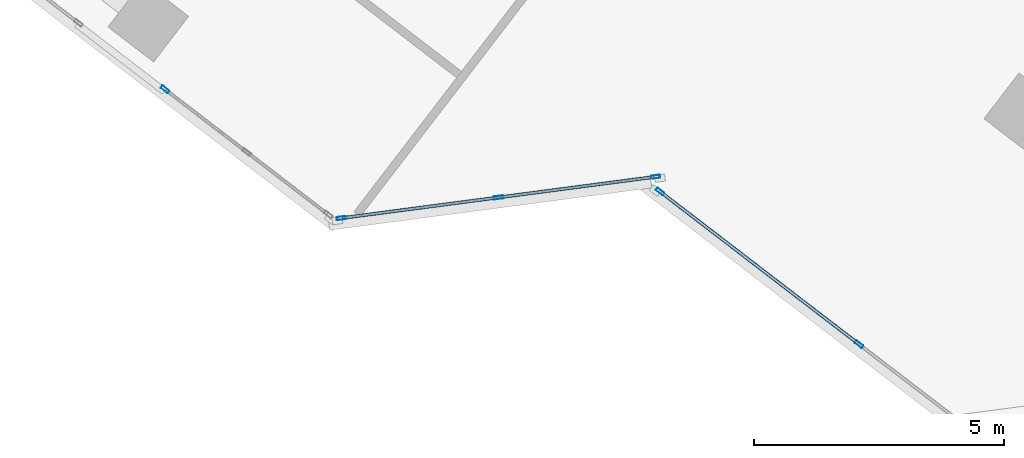
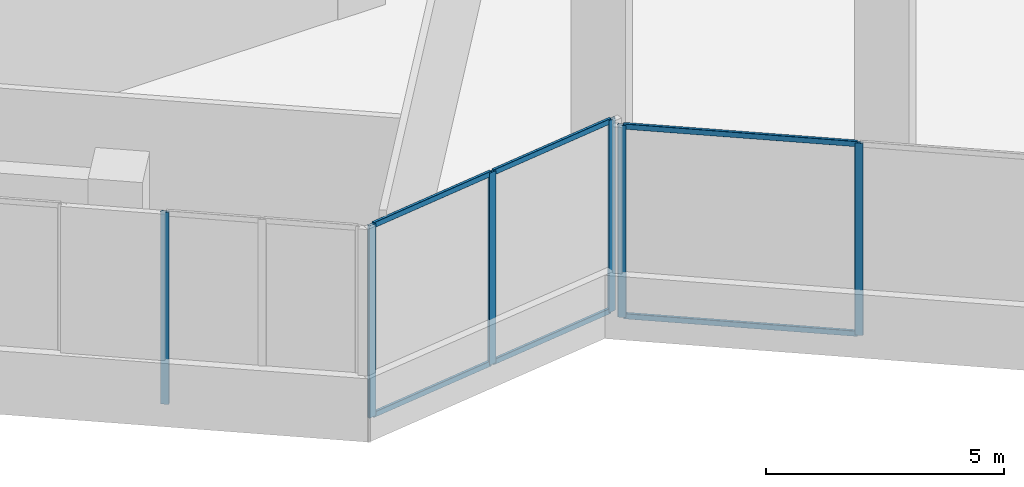
# One storey, part 3 of 23: 12 members, 3 elements without a shape of their own.
"""IFC4 building model written with IfcOpenShell, lengths in metres."""

from ifc_helpers import new_model, si_unit, direction, frame, origin, origin_2d, place, context, subcontext, project, spatial, hollow_rectangle, extrude, source, transform, mapped, material, material_profile, profile_set, type_object, element, aggregate, save


model = new_model("IFC4")

# Units and contexts
model_context = context("Model", 3, precision=1e-05, world=origin(), true_north=direction((0.0, 1.0)))
body_context = subcontext(model_context, "Body", "Model", "MODEL_VIEW")
ifc_project = project(units=[si_unit("LENGTHUNIT", "METRE"), si_unit("AREAUNIT", "SQUARE_METRE"), si_unit("VOLUMEUNIT", "CUBIC_METRE"), si_unit("PLANEANGLEUNIT", "RADIAN"), si_unit("MASSUNIT", "GRAM", prefix="KILO")], contexts=[model_context])

# Site, building, storey
site_placement = place(None, origin())
site = spatial("IfcSite", under=ifc_project, at=site_placement, CompositionType="ELEMENT")
building_placement = place(site_placement, origin())
building = spatial("IfcBuilding", under=site, at=building_placement, Name="Torre Montelarca", CompositionType="ELEMENT")
storey_placement = place(building_placement, frame((0.0, 0.0, 204.39990234375)))
storey = spatial("IfcBuildingStorey", under=building, at=storey_placement, Name="L46", CompositionType="ELEMENT", Elevation=204.39990234375)

# Curtain wall, members
ifc_material_1 = material(Name="Insulated low-E laminated glass", Category="glass")
curtain_wall_type = type_object("IfcCurtainWallType", Name="CW-SYS-Z2", PredefinedType="USERDEFINED", material=ifc_material_1)
curtain_wall_1_placement = place(storey_placement, origin())
curtain_wall_1 = element("IfcCurtainWall", 1, at=curtain_wall_1_placement, inside=storey, type_object=curtain_wall_type, Name="L46 Curtain Wall Run CW-T3-L46-E02-B1", ObjectType="UNITISED GLAZING", PredefinedType="USERDEFINED")
ifc_material_2 = material(Name="Anodised aluminium AA 6063-T6", Category="aluminium")
ifc_material_profile_1 = material_profile(ifc_material_2, hollow_rectangle(XDim=0.06494140625, YDim=0.139892578125, WallThickness=0.00390625, InnerFilletRadius=0.00390625, OuterFilletRadius=0.008056640625, at=origin_2d()), Name="ALU65X140X4", Category="aluminium")
ifc_profile_set_1 = profile_set([ifc_material_profile_1], Name="Anodised aluminium AA 6063-T6")
member_type_1 = type_object("IfcMemberType", Name="CWT-ALU140", PredefinedType="USERDEFINED", material=ifc_profile_set_1)
shared_shape_1 = source(origin(), body_context, "Body", "SweptSolid", [
    extrude(hollow_rectangle(XDim=0.06494140625, YDim=0.139892578125, WallThickness=0.00390625, InnerFilletRadius=0.00390625, OuterFilletRadius=0.008056640625, at=origin_2d()), origin(), (0.0, 0.0, 1.0), 3.102783203125),
])
member_1_placement = place(storey_placement, frame((22.42041015625, 11.498046875, 0.03271484375), z_axis=(0.991453224212, 0.130462654424, 0.0), x_axis=(-0.130462654424, 0.991453224212, 0.0)))
member_1 = element("IfcMember", 2, at=member_1_placement, type_object=member_type_1, Name="CW transom 2.1", ObjectType="TRANSOM", PredefinedType="USERDEFINED", context=body_context, shape_type="MappedRepresentation", body=[
    mapped(shared_shape_1, transform((0.0, 0.0, 0.0), scale=1.0)),
])
member_2_placement = place(storey_placement, frame((22.42041015625, 11.498046875, 4.8876953125), z_axis=(0.991453224212, 0.130462654424, 0.0), x_axis=(-0.130462654424, 0.991453224212, 0.0)))
member_2 = element("IfcMember", 3, at=member_2_placement, type_object=member_type_1, Name="CW transom 2.2", ObjectType="TRANSOM", PredefinedType="USERDEFINED", context=body_context, shape_type="MappedRepresentation", body=[
    mapped(shared_shape_1, transform((0.0, 0.0, 0.0), scale=1.0)),
])
shared_shape_2 = source(origin(), body_context, "Body", "SweptSolid", [
    extrude(hollow_rectangle(XDim=0.06494140625, YDim=0.139892578125, WallThickness=0.00390625, InnerFilletRadius=0.00390625, OuterFilletRadius=0.008056640625, at=origin_2d()), origin(), (0.0, 0.0, 1.0), 3.1025390625),
])
member_3_placement = place(storey_placement, frame((19.280029296875, 11.08447265625, 0.03271484375), z_axis=(0.991441702334, 0.130550185266, 0.0), x_axis=(-0.130550185266, 0.991441702334, 0.0)))
member_3 = element("IfcMember", 4, at=member_3_placement, type_object=member_type_1, Name="CW transom 1.1", ObjectType="TRANSOM", PredefinedType="USERDEFINED", context=body_context, shape_type="MappedRepresentation", body=[
    mapped(shared_shape_2, transform((0.0, 0.0, 0.0), scale=1.0)),
])
member_4_placement = place(storey_placement, frame((19.280029296875, 11.08447265625, 4.8876953125), z_axis=(0.991441702334, 0.130550185266, 0.0), x_axis=(-0.130550185266, 0.991441702334, 0.0)))
member_4 = element("IfcMember", 5, at=member_4_placement, type_object=member_type_1, Name="CW transom 1.2", ObjectType="TRANSOM", PredefinedType="USERDEFINED", context=body_context, shape_type="MappedRepresentation", body=[
    mapped(shared_shape_2, transform((0.0, 0.0, 0.0), scale=1.0)),
])

# Curtain wall, member
curtain_wall_2_placement = place(storey_placement, origin())
curtain_wall_2 = element("IfcCurtainWall", 6, at=curtain_wall_2_placement, inside=storey, type_object=curtain_wall_type, Name="L46 Curtain Wall Run CW-T3-L46-E01-B3", ObjectType="UNITISED GLAZING", PredefinedType="USERDEFINED")
ifc_material_profile_2 = material_profile(ifc_material_2, hollow_rectangle(XDim=0.06494140625, YDim=0.179931640625, WallThickness=0.00390625, InnerFilletRadius=0.00390625, OuterFilletRadius=0.008056640625, at=origin_2d()), Name="ALU65X180X4", Category="aluminium")
ifc_profile_set_2 = profile_set([ifc_material_profile_2], Name="Anodised aluminium AA 6063-T6")
member_type_2 = type_object("IfcMemberType", Name="CWM-ALU180", PredefinedType="MULLION", material=ifc_profile_set_2)
shared_shape_3 = source(origin(), body_context, "Body", "SweptSolid", [
    extrude(hollow_rectangle(XDim=0.06494140625, YDim=0.179931640625, WallThickness=0.00390625, InnerFilletRadius=0.00390625, OuterFilletRadius=0.008056640625, at=origin_2d()), origin(), (0.0, 0.0, 1.0), 4.920166015625),
])
member_5_placement = place(storey_placement, frame((15.725830078125, 13.65380859375, 0.0), z_axis=(0.0, 0.0, 1.0), x_axis=(0.608753994894, 0.793359044633, 0.0)))
member_5 = element("IfcMember", 7, at=member_5_placement, type_object=member_type_2, Name="CW mullion 1", PredefinedType="MULLION", context=body_context, shape_type="MappedRepresentation", body=[
    mapped(shared_shape_3, transform((0.0, 0.0, 0.0), scale=1.0)),
])
aggregate(curtain_wall_2, [member_5])

# Member
member_6_placement = place(storey_placement, frame((19.247802734375, 11.080322265625, 0.0), z_axis=(0.0, 0.0, 1.0), x_axis=(-0.130495333836, 0.991448923469, 0.0)))
member_6 = element("IfcMember", 8, at=member_6_placement, type_object=member_type_2, Name="CW mullion 1", PredefinedType="MULLION", context=body_context, shape_type="MappedRepresentation", body=[
    mapped(shared_shape_3, transform((0.0, 0.0, 0.0), scale=1.0)),
])

member_7_placement = place(storey_placement, frame((22.38818359375, 11.49365234375, 0.0), z_axis=(0.0, 0.0, 1.0), x_axis=(-0.130495333836, 0.991448923469, 0.0)))
member_7 = element("IfcMember", 9, at=member_7_placement, type_object=member_type_2, Name="CW mullion 2", PredefinedType="MULLION", context=body_context, shape_type="MappedRepresentation", body=[
    mapped(shared_shape_3, transform((0.0, 0.0, 0.0), scale=1.0)),
])

member_8_placement = place(storey_placement, frame((25.52880859375, 11.906982421875, 0.0), z_axis=(0.0, 0.0, 1.0), x_axis=(-0.130495333836, 0.991448923469, 0.0)))
member_8 = element("IfcMember", 10, at=member_8_placement, type_object=member_type_2, Name="CW mullion 3", PredefinedType="MULLION", context=body_context, shape_type="MappedRepresentation", body=[
    mapped(shared_shape_3, transform((0.0, 0.0, 0.0), scale=1.0)),
])

aggregate(curtain_wall_1, [member_6, member_7, member_8, member_3, member_4, member_1, member_2])

# Curtain wall, members
curtain_wall_3_placement = place(storey_placement, origin())
curtain_wall_3 = element("IfcCurtainWall", 11, at=curtain_wall_3_placement, inside=storey, type_object=curtain_wall_type, Name="L46 Curtain Wall Run CW-T3-L46-E04-B1", ObjectType="UNITISED GLAZING", PredefinedType="USERDEFINED")
member_9_placement = place(storey_placement, frame((25.613525390625, 11.61279296875, 0.0), z_axis=(0.0, 0.0, 1.0), x_axis=(0.608757874476, 0.793356067767, 0.0)))
member_9 = element("IfcMember", 12, at=member_9_placement, type_object=member_type_2, Name="CW mullion 1", PredefinedType="MULLION", context=body_context, shape_type="MappedRepresentation", body=[
    mapped(shared_shape_3, transform((0.0, 0.0, 0.0), scale=1.0)),
])
member_10_placement = place(storey_placement, frame((29.591064453125, 8.560791015625, 0.0), z_axis=(0.0, 0.0, 1.0), x_axis=(0.608757874476, 0.793356067767, 0.0)))
member_10 = element("IfcMember", 13, at=member_10_placement, type_object=member_type_2, Name="CW mullion 2", PredefinedType="MULLION", context=body_context, shape_type="MappedRepresentation", body=[
    mapped(shared_shape_3, transform((0.0, 0.0, 0.0), scale=1.0)),
])
shared_shape_4 = source(origin(), body_context, "Body", "SweptSolid", [
    extrude(hollow_rectangle(XDim=0.06494140625, YDim=0.139892578125, WallThickness=0.00390625, InnerFilletRadius=0.00390625, OuterFilletRadius=0.008056640625, at=origin_2d()), origin(), (0.0, 0.0, 1.0), 4.948486328125),
])
member_11_placement = place(storey_placement, frame((25.639404296875, 11.593017578125, 0.03271484375), z_axis=(0.793362520658, -0.608749464735, 0.0), x_axis=(0.608749464735, 0.793362520658, 0.0)))
member_11 = element("IfcMember", 14, at=member_11_placement, type_object=member_type_1, Name="CW transom 1.1", ObjectType="TRANSOM", PredefinedType="USERDEFINED", context=body_context, shape_type="MappedRepresentation", body=[
    mapped(shared_shape_4, transform((0.0, 0.0, 0.0), scale=1.0)),
])
member_12_placement = place(storey_placement, frame((25.639404296875, 11.593017578125, 4.8876953125), z_axis=(0.793362520658, -0.608749464735, 0.0), x_axis=(0.608749464735, 0.793362520658, 0.0)))
member_12 = element("IfcMember", 15, at=member_12_placement, type_object=member_type_1, Name="CW transom 1.2", ObjectType="TRANSOM", PredefinedType="USERDEFINED", context=body_context, shape_type="MappedRepresentation", body=[
    mapped(shared_shape_4, transform((0.0, 0.0, 0.0), scale=1.0)),
])
aggregate(curtain_wall_3, [member_9, member_10, member_11, member_12])

save(model, "model.ifc")
